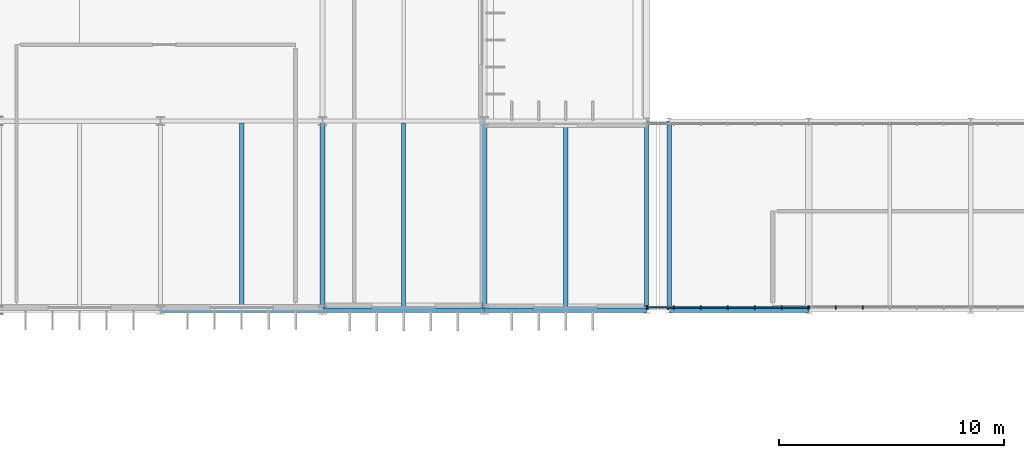
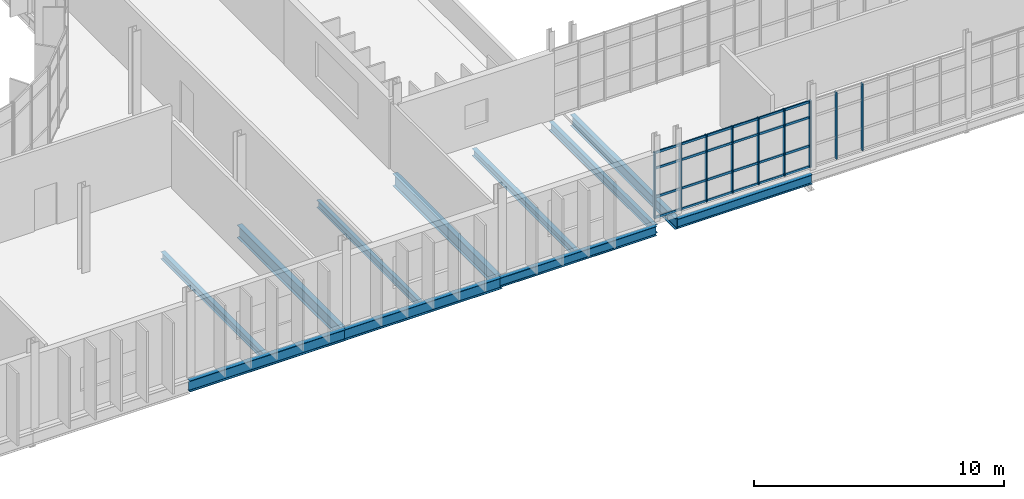
# One storey, part 23 of 99: 14 members, 11 beams, 2 elements without a shape of their own.
"""IFC4 building model written with IfcOpenShell, lengths in metres."""

from ifc_helpers import new_model, si_unit, direction, frame, origin, origin_2d, place, context, subcontext, project, spatial, rectangle, i_section, extrude, material, material_profile, profile_set, type_object, element, aggregate, save


model = new_model("IFC4")

# Units and contexts
model_context = context("Model", 3, precision=1e-05, world=origin(), true_north=direction((0.0, 1.0)))
body_context = subcontext(model_context, "Body", "Model", "MODEL_VIEW")
ifc_project = project(units=[si_unit("LENGTHUNIT", "METRE"), si_unit("AREAUNIT", "SQUARE_METRE"), si_unit("VOLUMEUNIT", "CUBIC_METRE"), si_unit("PLANEANGLEUNIT", "RADIAN"), si_unit("MASSUNIT", "GRAM", prefix="KILO")], contexts=[model_context])

# Site, building, storey
site_placement = place(None, origin())
site = spatial("IfcSite", under=ifc_project, at=site_placement, CompositionType="ELEMENT")
building_placement = place(site_placement, origin())
building = spatial("IfcBuilding", under=site, at=building_placement, Name="Qelthora Terrace Specialist Clinic", CompositionType="ELEMENT")
storey_placement = place(building_placement, frame((0.0, 0.0, 9.0)))
storey = spatial("IfcBuildingStorey", under=building, at=storey_placement, Name="L02", CompositionType="ELEMENT", Elevation=9.0)

# Beams
ifc_material_1 = material(Name="Steel S355", Category="steel")
ifc_material_profile_1 = material_profile(ifc_material_1, i_section(OverallWidth=0.178955078125, OverallDepth=0.409912109375, WebThickness=0.0087890625, FlangeThickness=0.014404296875, FilletRadius=0.011962890625, at=origin_2d()), Name="W410X67")
ifc_profile_set_1 = profile_set([ifc_material_profile_1], Name="Steel S355")
beam_type_1 = type_object("IfcBeamType", Name="BM-W410X67", PredefinedType="BEAM", material=ifc_profile_set_1)
beam_1_placement = place(storey_placement, frame((50.39990234375, 58.800048828125, -0.455078125), z_axis=(0.0, 1.0, 0.0), x_axis=(-1.0, 0.0, 0.0)))
element("IfcBeam", 1, at=beam_1_placement, inside=storey, type_object=beam_type_1, Name="Girder BMY-L02-0800", PredefinedType="BEAM", context=body_context, shape_type="SweptSolid", body=[
    extrude(i_section(OverallWidth=0.178955078125, OverallDepth=0.409912109375, WebThickness=0.0087890625, FlangeThickness=0.014404296875, FilletRadius=0.011962890625, at=origin_2d()), origin(), (0.0, 0.0, 1.0), 8.39990234375),
])
ifc_material_profile_2 = material_profile(ifc_material_1, i_section(OverallWidth=0.19091796875, OverallDepth=0.4599609375, WebThickness=0.010009765625, FlangeThickness=0.01611328125, FilletRadius=0.012939453125, at=origin_2d()), Name="W460X82")
ifc_profile_set_2 = profile_set([ifc_material_profile_2], Name="Steel S355")
beam_type_2 = type_object("IfcBeamType", Name="BM-W460X82", PredefinedType="BEAM", material=ifc_profile_set_2)
beam_2_placement = place(storey_placement, frame((51.39990234375, 58.800048828125, -0.47998046875), z_axis=(1.0, 0.0, 0.0), x_axis=(0.0, 1.0, 0.0)))
element("IfcBeam", 2, at=beam_2_placement, inside=storey, type_object=beam_type_2, Name="Girder BMX-L02-0638", PredefinedType="BEAM", context=body_context, shape_type="SweptSolid", body=[
    extrude(i_section(OverallWidth=0.19091796875, OverallDepth=0.4599609375, WebThickness=0.010009765625, FlangeThickness=0.01611328125, FilletRadius=0.012939453125, at=origin_2d()), origin(), (0.0, 0.0, 1.0), 6.2001953125),
])
ifc_material_profile_3 = material_profile(ifc_material_1, i_section(OverallWidth=0.193115234375, OverallDepth=0.466064453125, WebThickness=0.011474609375, FlangeThickness=0.01904296875, FilletRadius=0.012939453125, at=origin_2d()), Name="W460X97")
ifc_profile_set_3 = profile_set([ifc_material_profile_3], Name="Steel S355")
beam_type_3 = type_object("IfcBeamType", Name="BM-W460X97", PredefinedType="BEAM", material=ifc_profile_set_3)
beam_3_placement = place(storey_placement, frame((43.199951171875, 58.800048828125, -0.48291015625), z_axis=(1.0, 0.0, 0.0), x_axis=(0.0, 1.0, 0.0)))
element("IfcBeam", 3, at=beam_3_placement, inside=storey, type_object=beam_type_3, Name="Girder BMX-L02-0637", PredefinedType="BEAM", context=body_context, shape_type="SweptSolid", body=[
    extrude(i_section(OverallWidth=0.193115234375, OverallDepth=0.466064453125, WebThickness=0.011474609375, FlangeThickness=0.01904296875, FilletRadius=0.012939453125, at=origin_2d()), origin(), (0.0, 0.0, 1.0), 7.199951171875),
])
ifc_material_profile_4 = material_profile(ifc_material_1, i_section(OverallWidth=0.2099609375, OverallDepth=0.537109375, WebThickness=0.010986328125, FlangeThickness=0.017333984375, FilletRadius=0.013916015625, at=origin_2d()), Name="W530X101")
ifc_profile_set_4 = profile_set([ifc_material_profile_4], Name="Steel S355")
beam_type_4 = type_object("IfcBeamType", Name="BM-W530X101", PredefinedType="BEAM", material=ifc_profile_set_4)
beam_4_placement = place(storey_placement, frame((36.0, 58.800048828125, -0.5185546875), z_axis=(1.0, 0.0, 0.0), x_axis=(0.0, 1.0, 0.0)))
element("IfcBeam", 4, at=beam_4_placement, inside=storey, type_object=beam_type_4, Name="Girder BMX-L02-0636", PredefinedType="BEAM", context=body_context, shape_type="SweptSolid", body=[
    extrude(i_section(OverallWidth=0.2099609375, OverallDepth=0.537109375, WebThickness=0.010986328125, FlangeThickness=0.017333984375, FilletRadius=0.013916015625, at=origin_2d()), origin(), (0.0, 0.0, 1.0), 7.199951171875),
])
beam_5_placement = place(storey_placement, frame((51.39990234375, 58.800048828125, -0.5185546875), z_axis=(0.0, 1.0, 0.0), x_axis=(-1.0, 0.0, 0.0)))
element("IfcBeam", 5, at=beam_5_placement, inside=storey, type_object=beam_type_4, Name="Girder BMY-L02-0806", PredefinedType="BEAM", context=body_context, shape_type="SweptSolid", body=[
    extrude(i_section(OverallWidth=0.2099609375, OverallDepth=0.537109375, WebThickness=0.010986328125, FlangeThickness=0.017333984375, FilletRadius=0.013916015625, at=origin_2d()), origin(), (0.0, 0.0, 1.0), 8.39990234375),
])
ifc_material_profile_5 = material_profile(ifc_material_1, i_section(OverallWidth=0.2119140625, OverallDepth=0.5439453125, WebThickness=0.01318359375, FlangeThickness=0.021240234375, FilletRadius=0.013916015625, at=origin_2d()), Name="W530X123")
ifc_profile_set_5 = profile_set([ifc_material_profile_5], Name="Steel S355")
beam_type_5 = type_object("IfcBeamType", Name="BM-W530X123", PredefinedType="BEAM", material=ifc_profile_set_5)
beam_6_placement = place(storey_placement, frame((28.800048828125, 58.800048828125, -0.52197265625), z_axis=(1.0, 0.0, 0.0), x_axis=(0.0, 1.0, 0.0)))
element("IfcBeam", 6, at=beam_6_placement, inside=storey, type_object=beam_type_5, Name="Girder BMX-L02-0635", PredefinedType="BEAM", context=body_context, shape_type="SweptSolid", body=[
    extrude(i_section(OverallWidth=0.2119140625, OverallDepth=0.5439453125, WebThickness=0.01318359375, FlangeThickness=0.021240234375, FilletRadius=0.013916015625, at=origin_2d()), origin(), (0.0, 0.0, 1.0), 7.199951171875),
])
ifc_material_profile_6 = material_profile(ifc_material_1, i_section(OverallWidth=0.22998046875, OverallDepth=0.616943359375, WebThickness=0.01318359375, FlangeThickness=0.022216796875, FilletRadius=0.01611328125, at=origin_2d()), Name="W610X140")
ifc_profile_set_6 = profile_set([ifc_material_profile_6], Name="Steel S355")
beam_type_6 = type_object("IfcBeamType", Name="BM-W610X140", PredefinedType="BEAM", material=ifc_profile_set_6)
for number, where, z_axis, x_axis, name in (
    (7, (36.0, 58.800048828125, -0.55859375), (0.0, 1.0, 0.0), (-1.0, 0.0, 0.0), "Girder BMY-L02-0784"),
    (8, (43.199951171875, 58.800048828125, -0.55859375), (0.0, 1.0, 0.0), (-1.0, 0.0, 0.0), "Girder BMY-L02-0794"),
):
    element("IfcBeam", number, at=place(storey_placement, frame(where, z_axis=z_axis, x_axis=x_axis)), inside=storey, type_object=beam_type_6, Name=name, PredefinedType="BEAM", context=body_context, shape_type="SweptSolid", body=[
        extrude(i_section(OverallWidth=0.22998046875, OverallDepth=0.616943359375, WebThickness=0.01318359375, FlangeThickness=0.022216796875, FilletRadius=0.01611328125, at=origin_2d()), origin(), (0.0, 0.0, 1.0), 8.39990234375),
    ])

# Curtain wall, members
ifc_material_2 = material(Name="Aluminium anodized bronze", Category="aluminium")
curtain_wall_type = type_object("IfcCurtainWallType", Name="CW-BRG-L02", PredefinedType="NOTDEFINED", material=ifc_material_2)
curtain_wall_1_placement = place(storey_placement, origin())
curtain_wall_1 = element("IfcCurtainWall", 9, at=curtain_wall_1_placement, inside=storey, type_object=curtain_wall_type, Name="Curtain wall CW-L02-262", PredefinedType="NOTDEFINED")
ifc_material_profile_7 = material_profile(ifc_material_2, rectangle(XDim=0.06005859375, YDim=0.14990234375, at=origin_2d()), Name="CWM60X150")
ifc_profile_set_7 = profile_set([ifc_material_profile_7], Name="Aluminium anodized bronze")
member_type_1 = type_object("IfcMemberType", Name="CWM-60X150", PredefinedType="MULLION", material=ifc_profile_set_7)
member_1_placement = place(storey_placement, frame((50.419921875, 58.919921875, 0.0), z_axis=(0.0, 0.0, 1.0), x_axis=(1.0, 0.0, 0.0)))
member_1 = element("IfcMember", 10, at=member_1_placement, type_object=member_type_1, Name="CW-L02-262 mullion 1", PredefinedType="MULLION", context=body_context, shape_type="SweptSolid", body=[
    extrude(rectangle(XDim=0.06005859375, YDim=0.14990234375, at=origin_2d()), origin(), (0.0, 0.0, 1.0), 3.2490234375),
])
member_2_placement = place(storey_placement, frame((51.60009765625, 58.919921875, 0.0), z_axis=(0.0, 0.0, 1.0), x_axis=(1.0, 0.0, 0.0)))
member_2 = element("IfcMember", 11, at=member_2_placement, type_object=member_type_1, Name="CW-L02-262 mullion 2", PredefinedType="MULLION", context=body_context, shape_type="SweptSolid", body=[
    extrude(rectangle(XDim=0.06005859375, YDim=0.14990234375, at=origin_2d()), origin(), (0.0, 0.0, 1.0), 3.2490234375),
])
member_3_placement = place(storey_placement, frame((52.800048828125, 58.919921875, 0.0), z_axis=(0.0, 0.0, 1.0), x_axis=(1.0, 0.0, 0.0)))
member_3 = element("IfcMember", 12, at=member_3_placement, type_object=member_type_1, Name="CW-L02-262 mullion 3", PredefinedType="MULLION", context=body_context, shape_type="SweptSolid", body=[
    extrude(rectangle(XDim=0.06005859375, YDim=0.14990234375, at=origin_2d()), origin(), (0.0, 0.0, 1.0), 3.2490234375),
])
member_4_placement = place(storey_placement, frame((54.0, 58.919921875, 0.0), z_axis=(0.0, 0.0, 1.0), x_axis=(1.0, 0.0, 0.0)))
member_4 = element("IfcMember", 13, at=member_4_placement, type_object=member_type_1, Name="CW-L02-262 mullion 4", PredefinedType="MULLION", context=body_context, shape_type="SweptSolid", body=[
    extrude(rectangle(XDim=0.06005859375, YDim=0.14990234375, at=origin_2d()), origin(), (0.0, 0.0, 1.0), 3.2490234375),
])
member_5_placement = place(storey_placement, frame((55.199951171875, 58.919921875, 0.0), z_axis=(0.0, 0.0, 1.0), x_axis=(1.0, 0.0, 0.0)))
member_5 = element("IfcMember", 14, at=member_5_placement, type_object=member_type_1, Name="CW-L02-262 mullion 5", PredefinedType="MULLION", context=body_context, shape_type="SweptSolid", body=[
    extrude(rectangle(XDim=0.06005859375, YDim=0.14990234375, at=origin_2d()), origin(), (0.0, 0.0, 1.0), 3.2490234375),
])
member_6_placement = place(storey_placement, frame((56.39990234375, 58.919921875, 0.0), z_axis=(0.0, 0.0, 1.0), x_axis=(1.0, 0.0, 0.0)))
member_6 = element("IfcMember", 15, at=member_6_placement, type_object=member_type_1, Name="CW-L02-262 mullion 6", PredefinedType="MULLION", context=body_context, shape_type="SweptSolid", body=[
    extrude(rectangle(XDim=0.06005859375, YDim=0.14990234375, at=origin_2d()), origin(), (0.0, 0.0, 1.0), 3.2490234375),
])
member_7_placement = place(storey_placement, frame((57.580078125, 58.919921875, 0.0), z_axis=(0.0, 0.0, 1.0), x_axis=(1.0, 0.0, 0.0)))
member_7 = element("IfcMember", 16, at=member_7_placement, type_object=member_type_1, Name="CW-L02-262 mullion 7", PredefinedType="MULLION", context=body_context, shape_type="SweptSolid", body=[
    extrude(rectangle(XDim=0.06005859375, YDim=0.14990234375, at=origin_2d()), origin(), (0.0, 0.0, 1.0), 3.2490234375),
])

curtain_wall_2_placement = place(storey_placement, origin())
curtain_wall_2 = element("IfcCurtainWall", 17, at=curtain_wall_2_placement, inside=storey, type_object=curtain_wall_type, Name="Curtain wall CW-L02-263", PredefinedType="NOTDEFINED")
member_8_placement = place(storey_placement, frame((57.6201171875, 58.919921875, 0.0), z_axis=(0.0, 0.0, 1.0), x_axis=(1.0, 0.0, 0.0)))
member_8 = element("IfcMember", 18, at=member_8_placement, type_object=member_type_1, Name="CW-L02-263 mullion 1", PredefinedType="MULLION", context=body_context, shape_type="SweptSolid", body=[
    extrude(rectangle(XDim=0.06005859375, YDim=0.14990234375, at=origin_2d()), origin(), (0.0, 0.0, 1.0), 3.25390625),
])
member_9_placement = place(storey_placement, frame((58.800048828125, 58.919921875, 0.0), z_axis=(0.0, 0.0, 1.0), x_axis=(1.0, 0.0, 0.0)))
member_9 = element("IfcMember", 19, at=member_9_placement, type_object=member_type_1, Name="CW-L02-263 mullion 2", PredefinedType="MULLION", context=body_context, shape_type="SweptSolid", body=[
    extrude(rectangle(XDim=0.06005859375, YDim=0.14990234375, at=origin_2d()), origin(), (0.0, 0.0, 1.0), 3.25390625),
])
member_10_placement = place(storey_placement, frame((60.0, 58.919921875, 0.0), z_axis=(0.0, 0.0, 1.0), x_axis=(1.0, 0.0, 0.0)))
member_10 = element("IfcMember", 20, at=member_10_placement, type_object=member_type_1, Name="CW-L02-263 mullion 3", PredefinedType="MULLION", context=body_context, shape_type="SweptSolid", body=[
    extrude(rectangle(XDim=0.06005859375, YDim=0.14990234375, at=origin_2d()), origin(), (0.0, 0.0, 1.0), 3.25390625),
])
aggregate(curtain_wall_2, [member_8, member_9, member_10])

# Member
ifc_material_profile_8 = material_profile(ifc_material_2, rectangle(XDim=0.06005859375, YDim=0.110107421875, at=origin_2d()), Name="CWT60X110")
ifc_profile_set_8 = profile_set([ifc_material_profile_8], Name="Aluminium anodized bronze")
member_type_2 = type_object("IfcMemberType", Name="CWT-60X110", PredefinedType="USERDEFINED", material=ifc_profile_set_8)
member_11_placement = place(storey_placement, frame((50.43994140625, 58.919921875, 0.0400390625), z_axis=(1.0, 0.0, 0.0), x_axis=(0.0, 1.0, 0.0)))
member_11 = element("IfcMember", 21, at=member_11_placement, type_object=member_type_2, Name="CW-L02-262 transom 1", ObjectType="TRANSOM", PredefinedType="USERDEFINED", context=body_context, shape_type="SweptSolid", body=[
    extrude(rectangle(XDim=0.06005859375, YDim=0.110107421875, at=origin_2d()), origin(), (0.0, 0.0, 1.0), 7.1201171875),
])

member_12_placement = place(storey_placement, frame((50.43994140625, 58.919921875, 1.050048828125), z_axis=(1.0, 0.0, 0.0), x_axis=(0.0, 1.0, 0.0)))
member_12 = element("IfcMember", 22, at=member_12_placement, type_object=member_type_2, Name="CW-L02-262 transom 2", ObjectType="TRANSOM", PredefinedType="USERDEFINED", context=body_context, shape_type="SweptSolid", body=[
    extrude(rectangle(XDim=0.06005859375, YDim=0.110107421875, at=origin_2d()), origin(), (0.0, 0.0, 1.0), 7.1201171875),
])

member_13_placement = place(storey_placement, frame((50.43994140625, 58.919921875, 2.448974609375), z_axis=(1.0, 0.0, 0.0), x_axis=(0.0, 1.0, 0.0)))
member_13 = element("IfcMember", 23, at=member_13_placement, type_object=member_type_2, Name="CW-L02-262 transom 3", ObjectType="TRANSOM", PredefinedType="USERDEFINED", context=body_context, shape_type="SweptSolid", body=[
    extrude(rectangle(XDim=0.06005859375, YDim=0.110107421875, at=origin_2d()), origin(), (0.0, 0.0, 1.0), 7.1201171875),
])

member_14_placement = place(storey_placement, frame((50.43994140625, 58.919921875, 3.208984375), z_axis=(1.0, 0.0, 0.0), x_axis=(0.0, 1.0, 0.0)))
member_14 = element("IfcMember", 24, at=member_14_placement, type_object=member_type_2, Name="CW-L02-262 transom 4", ObjectType="TRANSOM", PredefinedType="USERDEFINED", context=body_context, shape_type="SweptSolid", body=[
    extrude(rectangle(XDim=0.06005859375, YDim=0.110107421875, at=origin_2d()), origin(), (0.0, 0.0, 1.0), 7.1201171875),
])

aggregate(curtain_wall_1, [member_1, member_2, member_3, member_4, member_5, member_6, member_7, member_11, member_12, member_13, member_14])

# Beams
ifc_material_profile_9 = material_profile(ifc_material_1, i_section(OverallWidth=0.172119140625, OverallDepth=0.35791015625, WebThickness=0.0078125, FlangeThickness=0.01318359375, FilletRadius=0.010986328125, at=origin_2d()), Name="W360X57")
ifc_profile_set_9 = profile_set([ifc_material_profile_9], Name="Steel S355")
beam_type_7 = type_object("IfcBeamType", Name="JST-W360X57", PredefinedType="JOIST", material=ifc_profile_set_9)
beam_7_placement = place(storey_placement, frame((39.60009765625, 58.905029296875, -0.428955078125), z_axis=(0.0, 1.0, 0.0), x_axis=(-1.0, 0.0, 0.0)))
element("IfcBeam", 25, at=beam_7_placement, inside=storey, type_object=beam_type_7, Name="Composite floor joist JST-L02-0164", PredefinedType="JOIST", context=body_context, shape_type="SweptSolid", body=[
    extrude(i_section(OverallWidth=0.172119140625, OverallDepth=0.35791015625, WebThickness=0.0078125, FlangeThickness=0.01318359375, FilletRadius=0.010986328125, at=origin_2d()), origin(), (0.0, 0.0, 1.0), 8.205078125),
])
ifc_material_profile_10 = material_profile(ifc_material_1, i_section(OverallWidth=0.202880859375, OverallDepth=0.346923828125, WebThickness=0.0078125, FlangeThickness=0.013427734375, FilletRadius=0.010986328125, at=origin_2d()), Name="W360X64")
ifc_profile_set_10 = profile_set([ifc_material_profile_10], Name="Steel S355")
beam_type_8 = type_object("IfcBeamType", Name="JST-W360X64", PredefinedType="JOIST", material=ifc_profile_set_10)
beam_8_placement = place(storey_placement, frame((32.39990234375, 58.906005859375, -0.423583984375), z_axis=(0.0, 1.0, 0.0), x_axis=(-1.0, 0.0, 0.0)))
element("IfcBeam", 26, at=beam_8_placement, inside=storey, type_object=beam_type_8, Name="Composite floor joist JST-L02-0163", PredefinedType="JOIST", context=body_context, shape_type="SweptSolid", body=[
    extrude(i_section(OverallWidth=0.202880859375, OverallDepth=0.346923828125, WebThickness=0.0078125, FlangeThickness=0.013427734375, FilletRadius=0.010986328125, at=origin_2d()), origin(), (0.0, 0.0, 1.0), 8.198486328125),
])
beam_9_placement = place(storey_placement, frame((46.800048828125, 58.896484375, -0.423583984375), z_axis=(0.0, 1.0, 0.0), x_axis=(-1.0, 0.0, 0.0)))
element("IfcBeam", 27, at=beam_9_placement, inside=storey, type_object=beam_type_8, Name="Composite floor joist JST-L02-0169", PredefinedType="JOIST", context=body_context, shape_type="SweptSolid", body=[
    extrude(i_section(OverallWidth=0.202880859375, OverallDepth=0.346923828125, WebThickness=0.0078125, FlangeThickness=0.013427734375, FilletRadius=0.010986328125, at=origin_2d()), origin(), (0.0, 0.0, 1.0), 8.214111328125),
])

save(model, "model.ifc")
